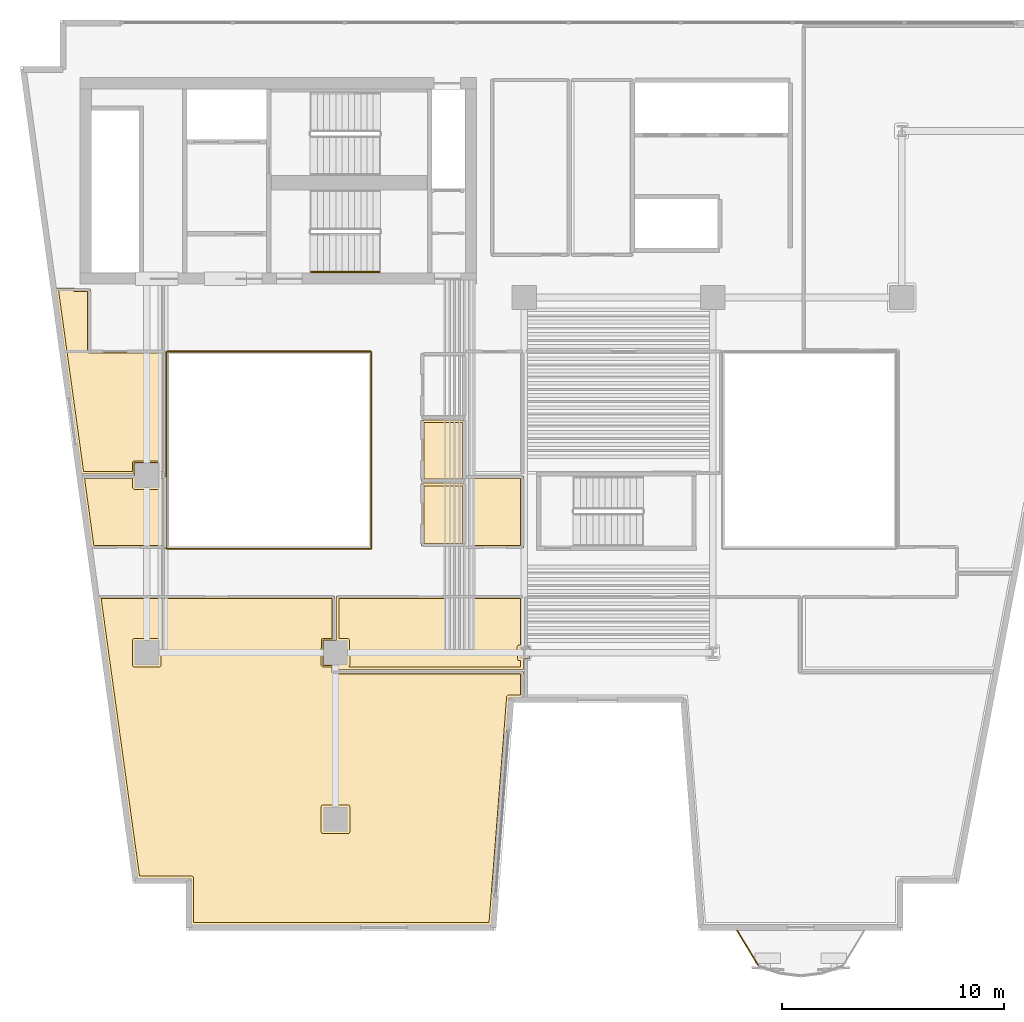
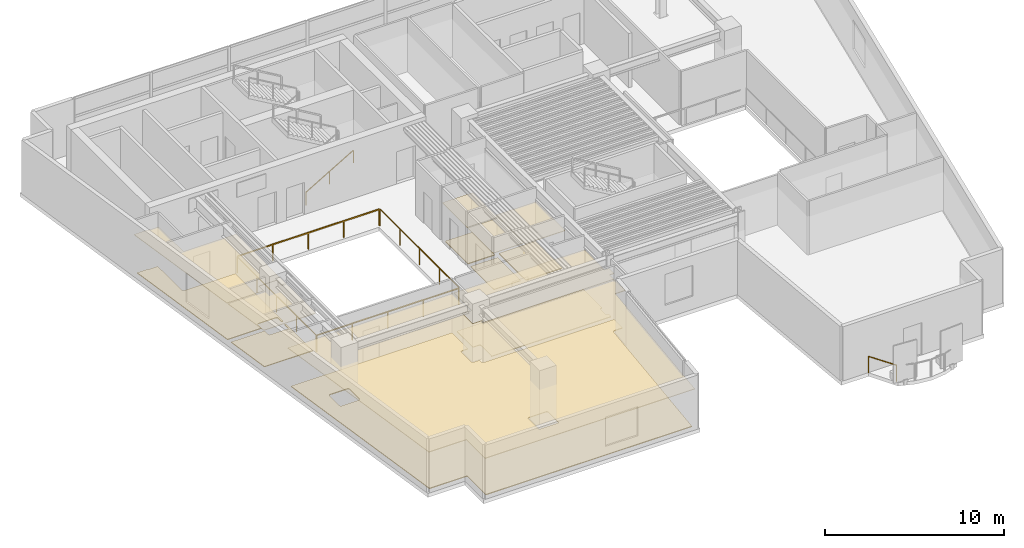
# One storey, part 9 of 12: 14 coverings, 6 railings.
"""IFC4 building model written with IfcOpenShell, lengths in metres."""

import ifcopenshell
import ifcopenshell.guid

model = None  # the IFC model being written
_history = None  # IfcOwnerHistory: only IFC2X3 demands one
_inside = {}  # id of a spatial element -> (the spatial element, [elements in it])
_under = {}  # id of a project, library or spatial element -> (it, [spatial elements below it])
_declared = {}  # id of a project -> (the project, [libraries it declares])
_typed = {}  # id of a type object -> (the type object, [elements of that type])
_made_of = {}  # id of a material, layer set ... -> (it, [elements and type objects made of it])


def new_model(schema):
    """Start an empty IFC model of exactly this schema.

    Asked for "IFC4X3", IfcOpenShell would pick the latest addendum, in which some entities
    have other attributes; the version numbers below select the first issue.
    IFC2X3 requires an IfcOwnerHistory on every rooted entity: one is made here for all.
    """
    global model, _history
    if schema == "IFC4X3":
        model = ifcopenshell.file(schema_version=(4, 3, 0, 0))
    else:
        model = ifcopenshell.file(schema=schema)
    _inside.clear()
    _under.clear()
    _declared.clear()
    _typed.clear()
    _made_of.clear()
    _history = None
    if model.schema == "IFC2X3":
        org = make("IfcOrganization", Name="unknown")
        user = make(
            "IfcPersonAndOrganization",
            ThePerson=make("IfcPerson", FamilyName="unknown"),
            TheOrganization=org,
        )
        app = make(
            "IfcApplication",
            ApplicationDeveloper=org,
            Version="unknown",
            ApplicationFullName="unknown",
            ApplicationIdentifier="unknown",
        )
        _history = make(
            "IfcOwnerHistory",
            OwningUser=user,
            OwningApplication=app,
            ChangeAction="ADDED",
            CreationDate=0,
        )
    return model


def make(cls, **values):
    """One entity of the class cls with the attributes given. An attribute that is None is left unset."""
    return model.create_entity(
        cls, **{name: value for name, value in values.items() if value is not None}
    )


def rooted(cls, **values):
    """An entity with a GlobalId (a new one), such as an element, a storey or a relation."""
    return make(cls, GlobalId=ifcopenshell.guid.new(), OwnerHistory=_history, **values)


def si_unit(unit_type, name, prefix=None):
    """IfcSIUnit, for example si_unit("LENGTHUNIT", "METRE", prefix="MILLI")."""
    return make("IfcSIUnit", UnitType=unit_type, Prefix=prefix, Name=name)


def assignment(units):
    """IfcUnitAssignment: the units of a project."""
    return None if units is None else make("IfcUnitAssignment", Units=units)


def point(xyz):
    """IfcCartesianPoint."""
    return None if xyz is None else make("IfcCartesianPoint", Coordinates=xyz)


def direction(xyz):
    """IfcDirection."""
    return None if xyz is None else make("IfcDirection", DirectionRatios=xyz)


def frame(location, z_axis=None, x_axis=None):
    """IfcAxis2Placement3D, a coordinate frame: its origin and axes. An axis left out is left unset."""
    return make(
        "IfcAxis2Placement3D",
        Location=point(location),
        Axis=direction(z_axis),
        RefDirection=direction(x_axis),
    )


def frame_2d(location, x_axis=None):
    """IfcAxis2Placement2D, a coordinate frame in the plane: its origin and x axis."""
    return make(
        "IfcAxis2Placement2D", Location=point(location), RefDirection=direction(x_axis)
    )


def origin():
    """The frame at (0, 0, 0) with its axes left unset."""
    return frame((0.0, 0.0, 0.0))


def origin_2d():
    """The frame at (0, 0) in the plane with its x axis left unset."""
    return frame_2d((0.0, 0.0))


def place(relative_to, where):
    """IfcLocalPlacement: puts the frame where relative to a parent placement (None: the world)."""
    return make(
        "IfcLocalPlacement", PlacementRelTo=relative_to, RelativePlacement=where
    )


def context(
    kind, dimensions, precision=None, world=None, true_north=None, identifier=None
):
    """IfcGeometricRepresentationContext, for example the 3D "Model" context."""
    return make(
        "IfcGeometricRepresentationContext",
        ContextIdentifier=identifier,
        ContextType=kind,
        CoordinateSpaceDimension=dimensions,
        Precision=precision,
        WorldCoordinateSystem=world,
        TrueNorth=true_north,
    )


def subcontext(parent, identifier, kind, view, scale=None):
    """IfcGeometricRepresentationSubContext, for example "Body" below "Model"."""
    return make(
        "IfcGeometricRepresentationSubContext",
        ContextIdentifier=identifier,
        ContextType=kind,
        ParentContext=parent,
        TargetScale=scale,
        TargetView=view,
    )


def project(units=None, contexts=None):
    """IfcProject with its units and contexts."""
    return rooted(
        "IfcProject",
        Name="project",
        RepresentationContexts=contexts,
        UnitsInContext=assignment(units),
    )


def spatial(cls, under=None, at=None, **own):
    """A site, building, storey or space (cls), placed at a placement, below another one or the project."""
    s = rooted(cls, ObjectPlacement=at, **own)
    if under is not None:
        _under.setdefault(under.id(), (under, []))[1].append(s)
    return s


def polyline(points):
    """IfcPolyline through the points."""
    return make("IfcPolyline", Points=[point(p) for p in points])


def profile(cls, at=None, kind="AREA", **sizes):
    """A parametric profile (cls). Its sizes go by their IFC names, for example OverallWidth=200.0."""
    return make(cls, ProfileType=kind, Position=at, **sizes)


def rectangle(**sizes):
    """IfcRectangleProfileDef."""
    return profile("IfcRectangleProfileDef", **sizes)


def outline(outer, holes=None, kind="AREA"):
    """IfcArbitraryClosedProfileDef: a profile drawn as a closed curve; with holes, ...WithVoids."""
    if holes is None:
        return make("IfcArbitraryClosedProfileDef", ProfileType=kind, OuterCurve=outer)
    return make(
        "IfcArbitraryProfileDefWithVoids",
        ProfileType=kind,
        OuterCurve=outer,
        InnerCurves=holes,
    )


def extrude(swept, where, along, depth):
    """IfcExtrudedAreaSolid: the profile swept, set in the frame where, extruded along a direction by depth."""
    return make(
        "IfcExtrudedAreaSolid",
        SweptArea=swept,
        Position=where,
        ExtrudedDirection=direction(along),
        Depth=depth,
    )


def shape(context_of_items, identifier, shape_type, items):
    """IfcShapeRepresentation: the items that make up one representation, for example the "Body"."""
    return make(
        "IfcShapeRepresentation",
        ContextOfItems=context_of_items,
        RepresentationIdentifier=identifier,
        RepresentationType=shape_type,
        Items=items,
    )


def material(Name=None, Category=None):
    """IfcMaterial."""
    return make("IfcMaterial", Name=Name, Category=Category)


def layer(
    of_material, thickness, ventilated=None, Name=None, Category=None, Priority=None
):
    """IfcMaterialLayer: one layer of a wall or slab, of a material (None: an air gap)."""
    return make(
        "IfcMaterialLayer",
        Material=of_material,
        LayerThickness=thickness,
        IsVentilated=ventilated,
        Name=Name,
        Category=Category,
        Priority=Priority,
    )


def layer_set(layers, Name=None):
    """IfcMaterialLayerSet."""
    return make("IfcMaterialLayerSet", MaterialLayers=layers, LayerSetName=Name)


def made_of(thing, what):
    """Note that an element or type object is made of a material, layer set ...; save() writes the relation."""
    if what is not None:
        _made_of.setdefault(what.id(), (what, []))[1].append(thing)
    return thing


def type_object(cls, material=None, **own):
    """A type object (cls), such as IfcWallType, which elements share."""
    return made_of(rooted(cls, **own), material)


def element(
    cls,
    number,
    at=None,
    inside=None,
    cuts=None,
    type_object=None,
    material=None,
    context=None,
    identifier="Body",
    shape_type=None,
    held_by="IfcProductDefinitionShape",
    body=None,
    shapes=None,
    **own,
):
    """One element of the class cls, such as IfcWall. Its Tag is "e" and its number.

    at: its placement. inside: the storey or other place that contains it. cuts: it is an
    opening in that element (IfcRelVoidsElement). A single representation is given by context,
    identifier, shape_type and body (its items); several are given by shapes. held_by: the class
    of the entity that holds the representations. save() writes the other relations.
    """
    e = rooted(cls, Tag="e%d" % number, ObjectPlacement=at, **own)
    if body is not None:
        shapes = [shape(context, identifier, shape_type, body)]
    if shapes is not None:
        e.Representation = make(held_by, Representations=shapes)
    if inside is not None:
        _inside.setdefault(inside.id(), (inside, []))[1].append(e)
    if cuts is not None:
        rooted(
            "IfcRelVoidsElement", RelatingBuildingElement=cuts, RelatedOpeningElement=e
        )
    if type_object is not None:
        _typed.setdefault(type_object.id(), (type_object, []))[1].append(e)
    return made_of(e, material)


def aggregate(whole, parts):
    """IfcRelAggregates: a whole, such as a stair, and the parts it consists of."""
    return rooted("IfcRelAggregates", RelatingObject=whole, RelatedObjects=parts)


def save(model, path):
    """Write the relations noted so far, then the file.

    IfcRelAggregates (storeys below a building ...), IfcRelContainedInSpatialStructure (elements
    in a storey), IfcRelDefinesByType, IfcRelAssociatesMaterial and IfcRelDeclares: one each for
    every whole, place, type object, material and project.
    """
    for whole, parts in _under.values():
        aggregate(whole, parts)
    for where, things in _inside.values():
        rooted(
            "IfcRelContainedInSpatialStructure",
            RelatedElements=things,
            RelatingStructure=where,
        )
    for kind, things in _typed.values():
        rooted("IfcRelDefinesByType", RelatedObjects=things, RelatingType=kind)
    for what, things in _made_of.values():
        rooted("IfcRelAssociatesMaterial", RelatedObjects=things, RelatingMaterial=what)
    for by, libraries in _declared.values():
        rooted("IfcRelDeclares", RelatingContext=by, RelatedDefinitions=libraries)
    model.write(path)


model = new_model("IFC4")

# Units and contexts
model_context = context("Model", 3, precision=1e-05, world=origin(), true_north=direction((0.0, 1.0)))
body_context = subcontext(model_context, "Body", "Model", "MODEL_VIEW")
ifc_project = project(units=[si_unit("LENGTHUNIT", "METRE"), si_unit("AREAUNIT", "SQUARE_METRE"), si_unit("VOLUMEUNIT", "CUBIC_METRE"), si_unit("PLANEANGLEUNIT", "RADIAN"), si_unit("MASSUNIT", "GRAM", prefix="KILO")], contexts=[model_context])

# Site, building, storey
site_placement = place(None, origin())
site = spatial("IfcSite", under=ifc_project, at=site_placement, CompositionType="ELEMENT")
building_placement = place(site_placement, origin())
building = spatial("IfcBuilding", under=site, at=building_placement, Name="Caeloran Harvest Quay", CompositionType="ELEMENT")
storey_placement = place(building_placement, frame((0.0, 0.0, 115.35009765625)))
storey = spatial("IfcBuildingStorey", under=building, at=storey_placement, Name="L26", CompositionType="ELEMENT", Elevation=115.35009765625)

# Coverings
ifc_material_1 = material(Name="Perforated Mineral-Fibre Acoustic Ceiling Tile", Category="ceiling")
ifc_layer_1 = layer(ifc_material_1, 0.0400390625, Name="Perforated Mineral-Fibre Acoustic Ceiling Tile")
ifc_layer_set_1 = layer_set([ifc_layer_1], Name="Perforated Mineral-Fibre Acoustic Ceiling Tile")
covering_type_1 = type_object("IfcCoveringType", Name="COV-CEILING-ACOUSTIC", PredefinedType="CEILING", material=ifc_layer_set_1)
covering_1_placement = place(storey_placement, frame((0.0, 0.0, 2.599853515625)))
element("IfcCovering", 1, at=covering_1_placement, inside=storey, type_object=covering_type_1, Name="L26 Female Washroom WC Acoustic Ceiling", PredefinedType="CEILING", context=body_context, shape_type="SweptSolid", body=[
    extrude(outline(polyline([(22.840087890625, 22.7099609375), (20.8701171875, 22.7099609375), (20.8701171875, 25.489990234375), (22.840087890625, 25.489990234375), (22.840087890625, 22.7099609375)])), origin(), (0.0, 0.0, 1.0), 0.0400390625),
])
covering_2_placement = place(storey_placement, frame((0.0, 0.0, 2.599853515625)))
element("IfcCovering", 2, at=covering_2_placement, inside=storey, type_object=covering_type_1, Name="L26 Accessible Unisex Washroom WC Acoustic Ceiling", PredefinedType="CEILING", context=body_context, shape_type="SweptSolid", body=[
    extrude(outline(polyline([(22.840087890625, 19.81005859375), (20.8701171875, 19.81005859375), (20.8701171875, 22.639892578125), (22.840087890625, 22.639892578125), (22.840087890625, 19.81005859375)])), origin(), (0.0, 0.0, 1.0), 0.0400390625),
])
covering_3_placement = place(storey_placement, frame((0.0, 0.0, 2.599853515625)))
element("IfcCovering", 3, at=covering_3_placement, inside=storey, type_object=covering_type_1, Name="Agri-Robotics Open Research Workspace Acoustic Ceiling", PredefinedType="CEILING", context=body_context, shape_type="SweptSolid", body=[
    extrude(outline(polyline([(6.309326171875, 17.56005859375), (16.9599609375, 17.56005859375), (16.9599609375, 15.570068359375), (17.570068359375, 15.570068359375), (17.570068359375, 14.429931640625), (16.9599609375, 14.429931640625), (16.9599609375, 14.159912109375), (25.4599609375, 14.159912109375), (25.4599609375, 12.969970703125), (24.826416015625, 12.969970703125), (24.026611328125, 2.719970703125), (10.489990234375, 2.719970703125), (10.489990234375, 4.820068359375), (8.0712890625, 4.820068359375), (6.309326171875, 17.56005859375)])), origin(), (0.0, 0.0, 1.0), 0.0400390625),
])
covering_4_placement = place(storey_placement, frame((0.0, 0.0, 2.599853515625)))
element("IfcCovering", 4, at=covering_4_placement, inside=storey, type_object=covering_type_1, Name="Phenotyping Sensor Laboratory Acoustic Ceiling", PredefinedType="CEILING", context=body_context, shape_type="SweptSolid", body=[
    extrude(outline(polyline([(16.429931640625, 14.429931640625), (16.429931640625, 15.570068359375), (17.0400390625, 15.570068359375), (17.0400390625, 17.56005859375), (25.4599609375, 17.56005859375), (25.4599609375, 15.277099609375), (25.738525390625, 15.277099609375), (25.738525390625, 14.722900390625), (25.4599609375, 14.722900390625), (25.4599609375, 14.239990234375), (17.0400390625, 14.239990234375), (17.0400390625, 14.429931640625), (16.429931640625, 14.429931640625)])), origin(), (0.0, 0.0, 1.0), 0.0400390625),
])
covering_5_placement = place(storey_placement, frame((0.0, 0.0, 2.599853515625)))
element("IfcCovering", 5, at=covering_5_placement, inside=storey, type_object=covering_type_1, Name="R&D Project Conference Room Acoustic Ceiling", PredefinedType="CEILING", context=body_context, shape_type="SweptSolid", body=[
    extrude(outline(polyline([(25.4599609375, 19.7099609375), (22.8701171875, 19.7099609375), (22.8701171875, 22.9599609375), (25.4599609375, 22.9599609375), (25.4599609375, 19.7099609375)])), origin(), (0.0, 0.0, 1.0), 0.0400390625),
])
covering_6_placement = place(storey_placement, frame((0.0, 0.0, 2.599853515625)))
element("IfcCovering", 6, at=covering_6_placement, inside=storey, type_object=covering_type_1, Name="Collaborators Tea Lounge Acoustic Ceiling", PredefinedType="CEILING", context=body_context, shape_type="SweptSolid", body=[
    extrude(outline(polyline([(9.360107421875, 22.9599609375), (9.360107421875, 19.7099609375), (6.01220703125, 19.7099609375), (5.5625, 22.9599609375), (7.929931640625, 22.9599609375), (7.929931640625, 23.570068359375), (9.070068359375, 23.570068359375), (9.070068359375, 22.9599609375), (9.360107421875, 22.9599609375)])), origin(), (0.0, 0.0, 1.0), 0.0400390625),
])
covering_7_placement = place(storey_placement, frame((0.0, 0.0, 2.599853515625)))
element("IfcCovering", 7, at=covering_7_placement, inside=storey, type_object=covering_type_1, Name="Crop Genomics Wet Laboratory 9 Acoustic Ceiling", PredefinedType="CEILING", context=body_context, shape_type="SweptSolid", body=[
    extrude(outline(polyline([(9.070068359375, 22.429931640625), (7.929931640625, 22.429931640625), (7.929931640625, 23.0400390625), (5.551513671875, 23.0400390625), (4.391357421875, 31.429931640625), (5.214599609375, 31.429931640625), (5.260009765625, 31.408447265625), (5.260009765625, 31.389892578125), (5.9599609375, 31.389892578125), (5.9599609375, 28.610107421875), (9.360107421875, 28.610107421875), (9.360107421875, 23.0400390625), (9.070068359375, 23.0400390625), (9.070068359375, 22.429931640625)])), origin(), (0.0, 0.0, 1.0), 0.0400390625),
])
ifc_material_2 = material(Name="Calcium-Sulphate Raised Access Floor and Terrazzo Finish", Category="flooring")
ifc_layer_2 = layer(ifc_material_2, 0.050048828125, Name="Calcium-Sulphate Raised Access Floor and Terrazzo Finish")
ifc_layer_set_2 = layer_set([ifc_layer_2], Name="Calcium-Sulphate Raised Access Floor and Terrazzo Finish")
covering_type_2 = type_object("IfcCoveringType", Name="COV-FLOOR-RAISED", PredefinedType="FLOORING", material=ifc_layer_set_2)
covering_8_placement = place(storey_placement, origin())
element("IfcCovering", 8, at=covering_8_placement, inside=storey, type_object=covering_type_2, Name="L26 Female Washroom WC Raised Finish Flooring", PredefinedType="FLOORING", context=body_context, shape_type="SweptSolid", body=[
    extrude(outline(polyline([(22.719970703125, 22.830078125), (20.989990234375, 22.830078125), (20.989990234375, 25.3701171875), (22.719970703125, 25.3701171875), (22.719970703125, 22.830078125)])), origin(), (0.0, 0.0, 1.0), 0.0498046875),
])
covering_9_placement = place(storey_placement, origin())
element("IfcCovering", 9, at=covering_9_placement, inside=storey, type_object=covering_type_2, Name="L26 Accessible Unisex Washroom WC Raised Finish Flooring", PredefinedType="FLOORING", context=body_context, shape_type="SweptSolid", body=[
    extrude(outline(polyline([(22.719970703125, 19.929931640625), (20.989990234375, 19.929931640625), (20.989990234375, 22.52001953125), (22.719970703125, 22.52001953125), (22.719970703125, 19.929931640625)])), origin(), (0.0, 0.0, 1.0), 0.0498046875),
])
covering_10_placement = place(storey_placement, origin())
element("IfcCovering", 10, at=covering_10_placement, inside=storey, type_object=covering_type_2, Name="Agri-Robotics Open Research Workspace Raised Finish Flooring", PredefinedType="FLOORING", context=body_context, shape_type="SweptSolid", body=[
    extrude(outline(polyline([(10.610107421875, 4.860107421875), (10.586669921875, 4.91650390625), (10.530029296875, 4.93994140625), (8.17578125, 4.93994140625), (6.447021484375, 17.43994140625), (16.840087890625, 17.43994140625), (16.840087890625, 15.64501953125), (16.42724609375, 15.64453125), (16.361083984375, 15.595703125), (16.35498046875, 14.43505859375), (16.41943359375, 14.3564453125), (16.840087890625, 14.35498046875), (16.841552734375, 14.1044921875), (16.889404296875, 14.046142578125), (25.340087890625, 14.0400390625), (25.340087890625, 13.090087890625), (24.781494140625, 13.089599609375), (24.709716796875, 13.01611328125), (23.91552734375, 2.840087890625), (10.610107421875, 2.840087890625), (10.610107421875, 4.860107421875)]), holes=[polyline([(16.43505859375, 8.14501953125), (16.37841796875, 8.12158203125), (16.35498046875, 8.06494140625), (16.35498046875, 6.93505859375), (16.37841796875, 6.87841796875), (16.43505859375, 6.85498046875), (17.56494140625, 6.85498046875), (17.62158203125, 6.87841796875), (17.64501953125, 6.93505859375), (17.64501953125, 8.06494140625), (17.62158203125, 8.12158203125), (17.56494140625, 8.14501953125), (16.43505859375, 8.14501953125)]), polyline([(7.93505859375, 15.64501953125), (7.87841796875, 15.62158203125), (7.85498046875, 15.56494140625), (7.85498046875, 14.43505859375), (7.87841796875, 14.37841796875), (7.93505859375, 14.35498046875), (9.06494140625, 14.35498046875), (9.12158203125, 14.37841796875), (9.14501953125, 14.43505859375), (9.14501953125, 15.56494140625), (9.12158203125, 15.62158203125), (9.06494140625, 15.64501953125), (7.93505859375, 15.64501953125)])]), origin(), (0.0, 0.0, 1.0), 0.0498046875),
])
covering_11_placement = place(storey_placement, origin())
element("IfcCovering", 11, at=covering_11_placement, inside=storey, type_object=covering_type_2, Name="Phenotyping Sensor Laboratory Raised Finish Flooring", PredefinedType="FLOORING", context=body_context, shape_type="SweptSolid", body=[
    extrude(outline(polyline([(17.592529296875, 14.360107421875), (17.64501953125, 14.43505859375), (17.6416015625, 15.588134765625), (17.57275390625, 15.64453125), (17.159912109375, 15.64501953125), (17.159912109375, 17.43994140625), (25.340087890625, 17.43994140625), (25.340087890625, 15.35205078125), (25.228759765625, 15.342529296875), (25.1865234375, 15.27197265625), (25.18798828125, 14.71240234375), (25.23583984375, 14.654052734375), (25.340087890625, 14.64794921875), (25.340087890625, 14.360107421875), (17.592529296875, 14.360107421875)])), origin(), (0.0, 0.0, 1.0), 0.0498046875),
])
covering_12_placement = place(storey_placement, origin())
element("IfcCovering", 12, at=covering_12_placement, inside=storey, type_object=covering_type_2, Name="R&D Project Conference Room Raised Finish Flooring", PredefinedType="FLOORING", context=body_context, shape_type="SweptSolid", body=[
    extrude(outline(polyline([(25.340087890625, 19.830078125), (22.989990234375, 19.830078125), (22.989990234375, 22.840087890625), (25.340087890625, 22.840087890625), (25.340087890625, 19.830078125)])), origin(), (0.0, 0.0, 1.0), 0.0498046875),
])
covering_13_placement = place(storey_placement, origin())
element("IfcCovering", 13, at=covering_13_placement, inside=storey, type_object=covering_type_2, Name="Collaborators Tea Lounge Raised Finish Flooring", PredefinedType="FLOORING", context=body_context, shape_type="SweptSolid", body=[
    extrude(outline(polyline([(7.85498046875, 22.840087890625), (7.8564453125, 22.41943359375), (7.93505859375, 22.35498046875), (9.095703125, 22.361083984375), (9.14453125, 22.42724609375), (9.14501953125, 22.840087890625), (9.239990234375, 22.840087890625), (9.239990234375, 19.830078125), (6.11669921875, 19.830078125), (5.700439453125, 22.840087890625), (7.85498046875, 22.840087890625)])), origin(), (0.0, 0.0, 1.0), 0.0498046875),
])
covering_14_placement = place(storey_placement, origin())
element("IfcCovering", 14, at=covering_14_placement, inside=storey, type_object=covering_type_2, Name="Crop Genomics Wet Laboratory 9 Raised Finish Flooring", PredefinedType="FLOORING", context=body_context, shape_type="SweptSolid", body=[
    extrude(outline(polyline([(5.165283203125, 31.31005859375), (5.2431640625, 31.270263671875), (5.840087890625, 31.27001953125), (5.840087890625, 28.60009765625), (5.8857421875, 28.5107421875), (5.949951171875, 28.489990234375), (9.239990234375, 28.489990234375), (9.239990234375, 23.159912109375), (9.14501953125, 23.159912109375), (9.1435546875, 23.58056640625), (9.06494140625, 23.64501953125), (7.904296875, 23.638916015625), (7.85546875, 23.57275390625), (7.85498046875, 23.159912109375), (5.656005859375, 23.159912109375), (4.529052734375, 31.31005859375), (5.165283203125, 31.31005859375)])), origin(), (0.0, 0.0, 1.0), 0.0498046875),
])

# Railings
ifc_material_3 = material(Name="Powder-Coated Steel Post and Laminated Glass Guardrail", Category="steel")
ifc_layer_3 = layer(ifc_material_3, 0.06005859375, Name="Powder-Coated Steel Post and Laminated Glass Guardrail")
ifc_layer_set_3 = layer_set([ifc_layer_3], Name="Powder-Coated Steel Post and Laminated Glass Guardrail")
railing_type_1 = type_object("IfcRailingType", Name="GUARD-ATRIUM-1150", PredefinedType="GUARDRAIL", material=ifc_layer_set_3)
railing_1_placement = place(storey_placement, frame((9.412109375, 19.679931640625, 0.0)))
element("IfcRailing", 15, at=railing_1_placement, inside=storey, type_object=railing_type_1, Name="L26 Skylit Atrium Void Perimeter Guardrail Seg 1", PredefinedType="GUARDRAIL", context=body_context, shape_type="SweptSolid", body=[
    extrude(rectangle(XDim=0.048095703125, YDim=0.048095703125, at=origin_2d()), frame((0.0, 0.0, 1.1259765625), z_axis=(1.0, 0.0, 0.0), x_axis=(0.0, 1.0, 0.0)), (0.0, 0.0, 1.0), 9.17578125),
    extrude(rectangle(XDim=0.0419921875, YDim=0.0419921875, at=origin_2d()), origin(), (0.0, 0.0, 1.0), 1.101806640625),
    extrude(rectangle(XDim=0.0419921875, YDim=0.0419921875, at=origin_2d()), frame((2.2939453125, 0.0, 0.0)), (0.0, 0.0, 1.0), 1.101806640625),
    extrude(rectangle(XDim=0.0419921875, YDim=0.0419921875, at=origin_2d()), frame((4.587890625, 0.0, 0.0)), (0.0, 0.0, 1.0), 1.101806640625),
    extrude(rectangle(XDim=0.0419921875, YDim=0.0419921875, at=origin_2d()), frame((6.8818359375, 0.0, 0.0)), (0.0, 0.0, 1.0), 1.101806640625),
    extrude(rectangle(XDim=0.0419921875, YDim=0.0419921875, at=origin_2d()), frame((9.17578125, 0.0, 0.0)), (0.0, 0.0, 1.0), 1.101806640625),
])
railing_2_placement = place(storey_placement, frame((18.6201171875, 19.7119140625, 0.0)))
element("IfcRailing", 16, at=railing_2_placement, inside=storey, type_object=railing_type_1, Name="L26 Skylit Atrium Void Perimeter Guardrail Seg 2", PredefinedType="GUARDRAIL", context=body_context, shape_type="SweptSolid", body=[
    extrude(rectangle(XDim=0.048095703125, YDim=0.048095703125, at=origin_2d()), frame((0.0, 0.0, 1.1259765625), z_axis=(0.0, 1.0, 0.0), x_axis=(-1.0, 0.0, 0.0)), (0.0, 0.0, 1.0), 8.826171875),
    extrude(rectangle(XDim=0.0419921875, YDim=0.0419921875, at=origin_2d()), origin(), (0.0, 0.0, 1.0), 1.101806640625),
    extrude(rectangle(XDim=0.0419921875, YDim=0.0419921875, at=origin_2d()), frame((0.0, 2.20654296875, 0.0)), (0.0, 0.0, 1.0), 1.101806640625),
    extrude(rectangle(XDim=0.0419921875, YDim=0.0419921875, at=origin_2d()), frame((0.0, 4.4130859375, 0.0)), (0.0, 0.0, 1.0), 1.101806640625),
    extrude(rectangle(XDim=0.0419921875, YDim=0.0419921875, at=origin_2d()), frame((0.0, 6.61962890625, 0.0)), (0.0, 0.0, 1.0), 1.101806640625),
    extrude(rectangle(XDim=0.0419921875, YDim=0.0419921875, at=origin_2d()), frame((0.0, 8.826171875, 0.0)), (0.0, 0.0, 1.0), 1.101806640625),
])
railing_3_placement = place(storey_placement, frame((18.587890625, 28.570068359375, 0.0)))
element("IfcRailing", 17, at=railing_3_placement, inside=storey, type_object=railing_type_1, Name="L26 Skylit Atrium Void Perimeter Guardrail Seg 3", PredefinedType="GUARDRAIL", context=body_context, shape_type="SweptSolid", body=[
    extrude(rectangle(XDim=0.048095703125, YDim=0.048095703125, at=origin_2d()), frame((0.0, 0.0, 1.1259765625), z_axis=(-1.0, 0.0, 0.0), x_axis=(0.0, -1.0, 0.0)), (0.0, 0.0, 1.0), 9.17578125),
    extrude(rectangle(XDim=0.0419921875, YDim=0.0419921875, at=origin_2d()), origin(), (0.0, 0.0, 1.0), 1.101806640625),
    extrude(rectangle(XDim=0.0419921875, YDim=0.0419921875, at=origin_2d()), frame((-2.2939453125, 0.0, 0.0)), (0.0, 0.0, 1.0), 1.101806640625),
    extrude(rectangle(XDim=0.0419921875, YDim=0.0419921875, at=origin_2d()), frame((-4.587890625, 0.0, 0.0)), (0.0, 0.0, 1.0), 1.101806640625),
    extrude(rectangle(XDim=0.0419921875, YDim=0.0419921875, at=origin_2d()), frame((-6.8818359375, 0.0, 0.0)), (0.0, 0.0, 1.0), 1.101806640625),
    extrude(rectangle(XDim=0.0419921875, YDim=0.0419921875, at=origin_2d()), frame((-9.17578125, 0.0, 0.0)), (0.0, 0.0, 1.0), 1.101806640625),
])
railing_4_placement = place(storey_placement, frame((9.3798828125, 28.5380859375, 0.0)))
element("IfcRailing", 18, at=railing_4_placement, inside=storey, type_object=railing_type_1, Name="L26 Skylit Atrium Void Perimeter Guardrail Seg 4", PredefinedType="GUARDRAIL", context=body_context, shape_type="SweptSolid", body=[
    extrude(rectangle(XDim=0.048095703125, YDim=0.048095703125, at=origin_2d()), frame((0.0, 0.0, 1.1259765625), z_axis=(0.0, -1.0, 0.0), x_axis=(1.0, 0.0, 0.0)), (0.0, 0.0, 1.0), 8.826171875),
    extrude(rectangle(XDim=0.0419921875, YDim=0.0419921875, at=origin_2d()), origin(), (0.0, 0.0, 1.0), 1.101806640625),
    extrude(rectangle(XDim=0.0419921875, YDim=0.0419921875, at=origin_2d()), frame((0.0, -2.20654296875, 0.0)), (0.0, 0.0, 1.0), 1.101806640625),
    extrude(rectangle(XDim=0.0419921875, YDim=0.0419921875, at=origin_2d()), frame((0.0, -4.4130859375, 0.0)), (0.0, 0.0, 1.0), 1.101806640625),
    extrude(rectangle(XDim=0.0419921875, YDim=0.0419921875, at=origin_2d()), frame((0.0, -6.61962890625, 0.0)), (0.0, 0.0, 1.0), 1.101806640625),
    extrude(rectangle(XDim=0.0419921875, YDim=0.0419921875, at=origin_2d()), frame((0.0, -8.826171875, 0.0)), (0.0, 0.0, 1.0), 1.101806640625),
])
ifc_material_4 = material(Name="Laminated Safety Glass and Stainless Steel 316", Category="steel")
ifc_layer_4 = layer(ifc_material_4, 0.06005859375, Name="Laminated Safety Glass and Stainless Steel 316")
ifc_layer_set_4 = layer_set([ifc_layer_4], Name="Laminated Safety Glass and Stainless Steel 316")
railing_type_2 = type_object("IfcRailingType", Name="GUARD-BALUSTRADE-1150", PredefinedType="BALUSTRADE", material=ifc_layer_set_4)
railing_5_placement = place(storey_placement, frame((36.028564453125, 0.937255859375, 0.0)))
element("IfcRailing", 19, at=railing_5_placement, inside=storey, type_object=railing_type_2, Name="L26 Planted Balcony Perimeter Balustrade Guard Seg 6", PredefinedType="BALUSTRADE", context=body_context, shape_type="SweptSolid", body=[
    extrude(rectangle(XDim=0.048095703125, YDim=0.048095703125, at=origin_2d()), frame((0.0, 0.0, 1.1259765625), z_axis=(-0.520109879595, 0.85409935789, 0.0), x_axis=(-0.85409935789, -0.520109879595, 0.0)), (0.0, 0.0, 1.0), 1.80615234375),
    extrude(rectangle(XDim=0.0419921875, YDim=0.0419921875, at=origin_2d()), origin(), (0.0, 0.0, 1.0), 1.101806640625),
    extrude(rectangle(XDim=0.0419921875, YDim=0.0419921875, at=origin_2d()), frame((-0.939453125, 1.542724609375, 0.0)), (0.0, 0.0, 1.0), 1.101806640625),
])
ifc_material_5 = material(Name="Brushed Stainless Steel Grade 304", Category="steel")
ifc_layer_5 = layer(ifc_material_5, 0.050048828125, Name="Brushed Stainless Steel Grade 304")
ifc_layer_set_5 = layer_set([ifc_layer_5], Name="Brushed Stainless Steel Grade 304")
railing_type_3 = type_object("IfcRailingType", Name="STAIR-HANDRAIL-900", PredefinedType="HANDRAIL", material=ifc_layer_set_5)
railing_6_placement = place(storey_placement, frame((15.89990234375, 32.14990234375, 0.16455078125)))
element("IfcRailing", 20, at=railing_6_placement, inside=storey, type_object=railing_type_3, Name="L26 ST-C2 stair handrail 1", PredefinedType="HANDRAIL", context=body_context, shape_type="SweptSolid", body=[
    extrude(rectangle(XDim=0.048095703125, YDim=0.048095703125, at=origin_2d()), frame((0.0, 0.0, 0.8759765625), z_axis=(0.862118610829, 0.0, 0.506706523406), x_axis=(0.0, 1.0, 0.0)), (0.0, 0.0, 1.0), 3.57275390625),
    extrude(rectangle(XDim=0.0419921875, YDim=0.0419921875, at=origin_2d()), origin(), (0.0, 0.0, 1.0), 0.851806640625),
    extrude(rectangle(XDim=0.0419921875, YDim=0.0419921875, at=origin_2d()), frame((1.5400390625, 0.0, 0.9052734375)), (0.0, 0.0, 1.0), 0.851806640625),
    extrude(rectangle(XDim=0.0419921875, YDim=0.0419921875, at=origin_2d()), frame((3.080078125, 0.0, 1.810302734375)), (0.0, 0.0, 1.0), 0.851806640625),
])

save(model, "model.ifc")
